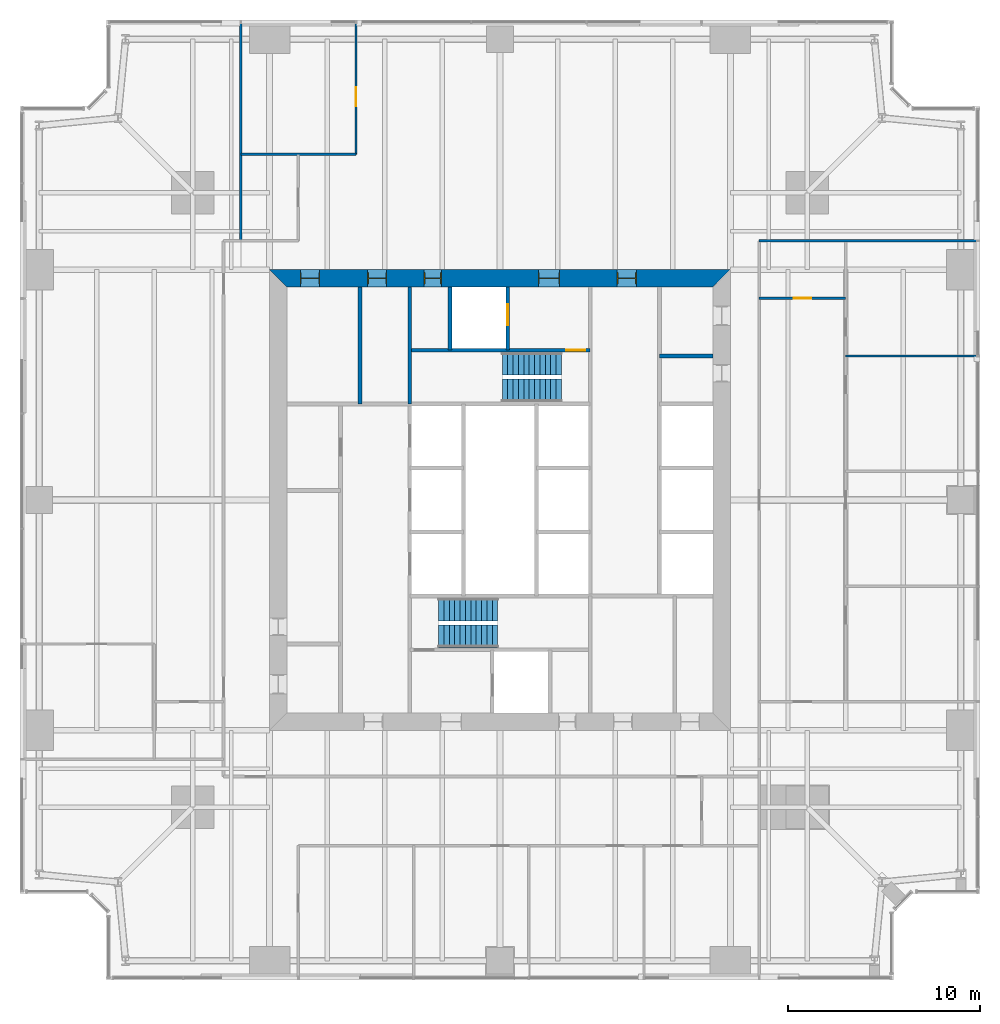
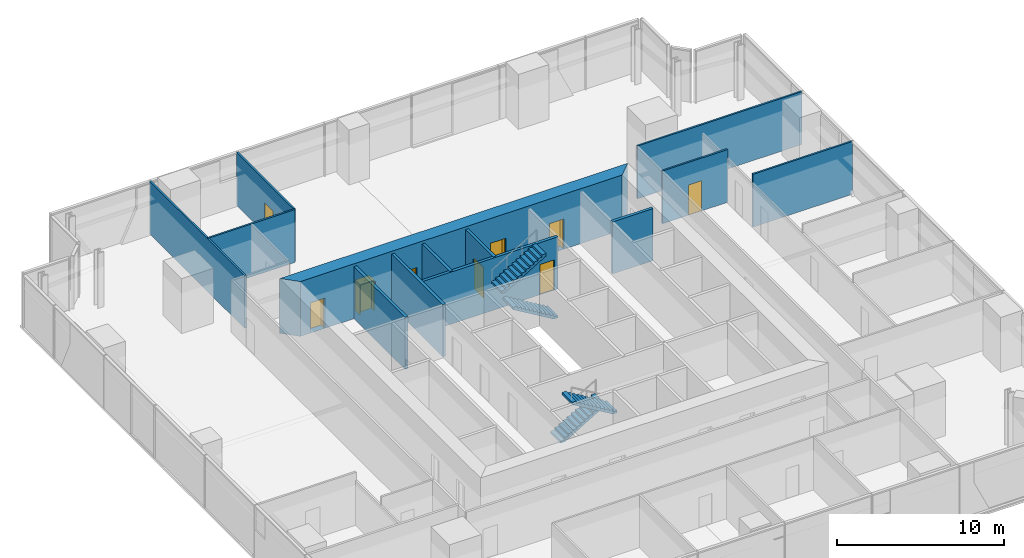
# One storey, part 11 of 13: 13 walls, 9 doors, 4 stair flights, 9 openings, 2 elements without a shape of their own.
"""IFC4 building model written with IfcOpenShell, lengths in metres."""

from ifc_helpers import new_model, si_unit, direction, frame, frame_2d, origin, place, context, subcontext, project, spatial, polyline, rectangle, outline, extrude, material, layer, layer_set, type_object, element, fill, aggregate, save


model = new_model("IFC4")

# Units and contexts
model_context = context("Model", 3, precision=1e-05, world=origin(), true_north=direction((0.0, 1.0)))
body_context = subcontext(model_context, "Body", "Model", "MODEL_VIEW")
ifc_project = project(units=[si_unit("LENGTHUNIT", "METRE"), si_unit("AREAUNIT", "SQUARE_METRE"), si_unit("VOLUMEUNIT", "CUBIC_METRE"), si_unit("PLANEANGLEUNIT", "RADIAN"), si_unit("MASSUNIT", "GRAM", prefix="KILO")], contexts=[model_context])

# Site, building, storey
site_placement = place(None, origin())
site = spatial("IfcSite", under=ifc_project, at=site_placement, CompositionType="ELEMENT")
building_placement = place(site_placement, origin())
building = spatial("IfcBuilding", under=site, at=building_placement, Name="Fenwick Lantern Interchange", CompositionType="ELEMENT")
storey_placement = place(building_placement, frame((0.0, 0.0, 126.39990234375)))
storey = spatial("IfcBuildingStorey", under=building, at=storey_placement, Name="L29", CompositionType="ELEMENT", Elevation=126.39990234375)

# Wall, opening, door
ifc_material_1 = material(Name="Concrete masonry ASTM C90 Grade N", Category="masonry")
ifc_layer_1 = layer(ifc_material_1, 0.199951171875)
ifc_layer_set_1 = layer_set([ifc_layer_1], Name="Concrete masonry ASTM C90 Grade N")
wall_type_1 = type_object("IfcWallType", Name="CORE PARTITION 200", PredefinedType="PARTITIONING", material=ifc_layer_set_1)
wall_1_placement = place(storey_placement, frame((25.39990234375, 36.10009765625, 0.0), z_axis=(0.0, 0.0, 1.0), x_axis=(0.0, -1.0, 0.0)))
wall_1 = element("IfcWall", 1, at=wall_1_placement, inside=storey, type_object=wall_type_1, Name="L29/W/COREN/h1", PredefinedType="PARTITIONING", context=body_context, shape_type="SweptSolid", body=[
    extrude(rectangle(XDim=3.300048828125, YDim=0.199951171875, at=frame_2d((1.64990234375, 0.0))), origin(), (0.0, 0.0, 1.0), 3.800048828125),
])
opening_1_placement = place(wall_1_placement, frame((0.89990234375, 0.0, 0.0)))
opening_1 = element("IfcOpeningElement", 2, at=opening_1_placement, cuts=wall_1, Name="Opening LD-FL2", PredefinedType="OPENING", context=body_context, shape_type="SweptSolid", body=[
    extrude(rectangle(XDim=1.10009765625, YDim=2.199951171875, at=frame_2d((0.550048828125, 1.10009765625))), frame((0.0, 0.10986328125, 0.0), z_axis=(0.0, -1.0, 0.0), x_axis=(1.0, 0.0, 0.0)), (0.0, 0.0, 1.0), 0.219970703125),
])
ifc_material_2 = material(Name="Steel door and frame", Category="steel")
door_type_1 = type_object("IfcDoorType", Name="LIFT LANDING DOOR 1100 X 2200", OperationType="DOUBLE_DOOR_SLIDING", PredefinedType="DOOR", material=ifc_material_2)
door_1_placement = place(opening_1_placement, origin())
door_1 = element("IfcDoor", 3, at=door_1_placement, inside=storey, type_object=door_type_1, Name="Lift landing door FL2", OperationType="DOUBLE_DOOR_SLIDING", OverallHeight=2.199951171875, OverallWidth=1.10009765625, PredefinedType="DOOR", context=body_context, shape_type="SweptSolid", body=[
    extrude(rectangle(XDim=1.10009765625, YDim=2.199951171875, at=frame_2d((0.550048828125, 1.10009765625))), frame((0.0, 0.02490234375, 0.0), z_axis=(0.0, -1.0, 0.0), x_axis=(1.0, 0.0, 0.0)), (0.0, 0.0, 1.0), 0.050048828125),
])
fill(opening_1, door_1)

# Walls
wall_2_placement = place(storey_placement, frame((22.39990234375, 36.10009765625, 0.0), z_axis=(0.0, 0.0, 1.0), x_axis=(0.0, -1.0, 0.0)))
element("IfcWall", 4, at=wall_2_placement, inside=storey, type_object=wall_type_1, Name="L29/W/COREN/h2", PredefinedType="PARTITIONING", context=body_context, shape_type="SweptSolid", body=[
    extrude(rectangle(XDim=3.300048828125, YDim=0.199951171875, at=frame_2d((1.64990234375, 0.0))), origin(), (0.0, 0.0, 1.0), 3.800048828125),
])
wall_3_placement = place(storey_placement, frame((17.699951171875, 36.10009765625, 0.0), z_axis=(0.0, 0.0, 1.0), x_axis=(0.0, -1.0, 0.0)))
element("IfcWall", 5, at=wall_3_placement, inside=storey, type_object=wall_type_1, Name="L29/W/COREN/i2", PredefinedType="PARTITIONING", context=body_context, shape_type="SweptSolid", body=[
    extrude(rectangle(XDim=6.10009765625, YDim=0.199951171875, at=frame_2d((3.050048828125, 0.0))), origin(), (0.0, 0.0, 1.0), 3.800048828125),
])
wall_4_placement = place(storey_placement, frame((36.10009765625, 32.5, 0.0), z_axis=(0.0, 0.0, 1.0), x_axis=(-1.0, 0.0, 0.0)))
element("IfcWall", 6, at=wall_4_placement, inside=storey, type_object=wall_type_1, Name="L29/W/COREN/p1", PredefinedType="PARTITIONING", context=body_context, shape_type="SweptSolid", body=[
    extrude(rectangle(XDim=2.800048828125, YDim=0.199951171875, at=frame_2d((1.39990234375, 0.0))), origin(), (0.0, 0.0, 1.0), 3.800048828125),
])

# Wall, openings, doors
ifc_material_3 = material(Name="Concrete f'c 70 MPa", Category="concrete")
ifc_layer_2 = layer(ifc_material_3, 0.89990234375)
ifc_layer_set_2 = layer_set([ifc_layer_2], Name="CORE WALL 900")
wall_type_2 = type_object("IfcWallType", Name="CORE WALL 900", PredefinedType="SHEAR", material=ifc_layer_set_2)
wall_5_placement = place(storey_placement, frame((37.0, 36.550048828125, 0.0), z_axis=(0.0, 0.0, 1.0), x_axis=(-1.0, 0.0, 0.0)))
wall_5 = element("IfcWall", 7, at=wall_5_placement, inside=storey, type_object=wall_type_2, Name="L29/CORE/N", PredefinedType="SHEAR", context=body_context, shape_type="SweptSolid", body=[
    extrude(outline(polyline([(0.0, -0.449951171875), (24.0, -0.449951171875), (23.10009765625, 0.449951171875), (0.89990234375, 0.449951171875), (0.0, -0.449951171875)])), origin(), (0.0, 0.0, 1.0), 4.0),
])
opening_2_placement = place(wall_5_placement, frame((4.89990234375, 0.0, 0.0)))
opening_2 = element("IfcOpeningElement", 8, at=opening_2_placement, cuts=wall_5, Name="Opening L29-D010", PredefinedType="OPENING", context=body_context, shape_type="SweptSolid", body=[
    extrude(rectangle(XDim=1.0, YDim=2.199951171875, at=frame_2d((0.5, 1.10009765625))), frame((0.0, 0.4599609375, 0.0), z_axis=(0.0, -1.0, 0.0), x_axis=(1.0, 0.0, 0.0)), (0.0, 0.0, 1.0), 0.919921875),
])
opening_3_placement = place(wall_5_placement, frame((8.89990234375, 0.0, 0.0)))
opening_3 = element("IfcOpeningElement", 9, at=opening_3_placement, cuts=wall_5, Name="Opening L29-D011", PredefinedType="OPENING", context=body_context, shape_type="SweptSolid", body=[
    extrude(rectangle(XDim=1.10009765625, YDim=2.199951171875, at=frame_2d((0.550048828125, 1.10009765625))), frame((0.0, 0.4599609375, 0.0), z_axis=(0.0, -1.0, 0.0), x_axis=(1.0, 0.0, 0.0)), (0.0, 0.0, 1.0), 0.919921875),
])
opening_4_placement = place(wall_5_placement, frame((15.050048828125, 0.0, 0.0)))
opening_4 = element("IfcOpeningElement", 10, at=opening_4_placement, cuts=wall_5, Name="Opening L29-D013", PredefinedType="OPENING", context=body_context, shape_type="SweptSolid", body=[
    extrude(rectangle(XDim=0.89990234375, YDim=2.199951171875, at=frame_2d((0.449951171875, 1.10009765625))), frame((0.0, 0.4599609375, 0.0), z_axis=(0.0, -1.0, 0.0), x_axis=(1.0, 0.0, 0.0)), (0.0, 0.0, 1.0), 0.919921875),
])
opening_5_placement = place(wall_5_placement, frame((17.89990234375, 0.0, 0.0)))
opening_5 = element("IfcOpeningElement", 11, at=opening_5_placement, cuts=wall_5, Name="Opening L29-D014", PredefinedType="OPENING", context=body_context, shape_type="SweptSolid", body=[
    extrude(rectangle(XDim=1.0, YDim=2.199951171875, at=frame_2d((0.5, 1.10009765625))), frame((0.0, 0.4599609375, 0.0), z_axis=(0.0, -1.0, 0.0), x_axis=(1.0, 0.0, 0.0)), (0.0, 0.0, 1.0), 0.919921875),
])
opening_6_placement = place(wall_5_placement, frame((21.39990234375, 0.0, 0.0)))
opening_6 = element("IfcOpeningElement", 12, at=opening_6_placement, cuts=wall_5, Name="Opening L29-D015", PredefinedType="OPENING", context=body_context, shape_type="SweptSolid", body=[
    extrude(rectangle(XDim=1.0, YDim=2.199951171875, at=frame_2d((0.5, 1.10009765625))), frame((0.0, 0.4599609375, 0.0), z_axis=(0.0, -1.0, 0.0), x_axis=(1.0, 0.0, 0.0)), (0.0, 0.0, 1.0), 0.919921875),
])
door_type_2 = type_object("IfcDoorType", Name="CORE LOBBY DOOR 1000 X 2200", OperationType="SINGLE_SWING_LEFT", PredefinedType="DOOR", material=ifc_material_2)
door_2_placement = place(opening_2_placement, origin())
door_2 = element("IfcDoor", 13, at=door_2_placement, inside=storey, type_object=door_type_2, Name="Core lobby door", OperationType="SINGLE_SWING_LEFT", OverallHeight=2.199951171875, OverallWidth=1.0, PredefinedType="DOOR", context=body_context, shape_type="SweptSolid", body=[
    extrude(rectangle(XDim=1.0, YDim=2.199951171875, at=frame_2d((0.5, 1.10009765625))), frame((0.0, 0.02490234375, 0.0), z_axis=(0.0, -1.0, 0.0), x_axis=(1.0, 0.0, 0.0)), (0.0, 0.0, 1.0), 0.050048828125),
    extrude(outline(polyline([(0.0, 0.0), (0.0400390625, 0.0), (0.0400390625, 2.159912109375), (0.9599609375, 2.159912109375), (0.9599609375, 0.0), (1.0, 0.0), (1.0, 2.199951171875), (0.0, 2.199951171875), (0.0, 0.0)])), frame((0.0, 0.300048828125, 0.0), z_axis=(0.0, -1.0, 0.0), x_axis=(1.0, 0.0, 0.0)), (0.0, 0.0, 1.0), 0.60009765625),
])
fill(opening_2, door_2)
door_type_3 = type_object("IfcDoorType", Name="FIRE LOBBY DOOR 1100 X 2200", OperationType="SINGLE_SWING_LEFT", PredefinedType="DOOR", material=ifc_material_2)
door_3_placement = place(opening_3_placement, origin())
door_3 = element("IfcDoor", 14, at=door_3_placement, inside=storey, type_object=door_type_3, Name="Fire lobby door", OperationType="SINGLE_SWING_LEFT", OverallHeight=2.199951171875, OverallWidth=1.10009765625, PredefinedType="DOOR", context=body_context, shape_type="SweptSolid", body=[
    extrude(rectangle(XDim=1.10009765625, YDim=2.199951171875, at=frame_2d((0.550048828125, 1.10009765625))), frame((0.0, 0.02490234375, 0.0), z_axis=(0.0, -1.0, 0.0), x_axis=(1.0, 0.0, 0.0)), (0.0, 0.0, 1.0), 0.050048828125),
    extrude(outline(polyline([(0.0, 0.0), (0.0400390625, 0.0), (0.0400390625, 2.159912109375), (1.06005859375, 2.159912109375), (1.06005859375, 0.0), (1.10009765625, 0.0), (1.10009765625, 2.199951171875), (0.0, 2.199951171875), (0.0, 0.0)])), frame((0.0, 0.300048828125, 0.0), z_axis=(0.0, -1.0, 0.0), x_axis=(1.0, 0.0, 0.0)), (0.0, 0.0, 1.0), 0.60009765625),
])
fill(opening_3, door_3)
door_type_4 = type_object("IfcDoorType", Name="SERVICE DOOR 900 X 2200", OperationType="SINGLE_SWING_LEFT", PredefinedType="DOOR", material=ifc_material_2)
door_4_placement = place(opening_4_placement, origin())
door_4 = element("IfcDoor", 15, at=door_4_placement, inside=storey, type_object=door_type_4, Name="Service door", OperationType="SINGLE_SWING_LEFT", OverallHeight=2.199951171875, OverallWidth=0.89990234375, PredefinedType="DOOR", context=body_context, shape_type="SweptSolid", body=[
    extrude(rectangle(XDim=0.89990234375, YDim=2.199951171875, at=frame_2d((0.449951171875, 1.10009765625))), frame((0.0, 0.02490234375, 0.0), z_axis=(0.0, -1.0, 0.0), x_axis=(1.0, 0.0, 0.0)), (0.0, 0.0, 1.0), 0.050048828125),
    extrude(outline(polyline([(0.0, 0.0), (0.0400390625, 0.0), (0.0400390625, 2.159912109375), (0.85986328125, 2.159912109375), (0.85986328125, 0.0), (0.89990234375, 0.0), (0.89990234375, 2.199951171875), (0.0, 2.199951171875), (0.0, 0.0)])), frame((0.0, 0.300048828125, 0.0), z_axis=(0.0, -1.0, 0.0), x_axis=(1.0, 0.0, 0.0)), (0.0, 0.0, 1.0), 0.60009765625),
])
fill(opening_4, door_4)
ifc_material_4 = material(Name="Hardwood door and steel frame", Category="steel")
door_type_5 = type_object("IfcDoorType", Name="WC DOOR 1000 X 2200", OperationType="SINGLE_SWING_LEFT", PredefinedType="DOOR", material=ifc_material_4)
door_5_placement = place(opening_5_placement, origin())
door_5 = element("IfcDoor", 16, at=door_5_placement, inside=storey, type_object=door_type_5, Name="Wc door", OperationType="SINGLE_SWING_RIGHT", OverallHeight=2.199951171875, OverallWidth=1.0, PredefinedType="DOOR", context=body_context, shape_type="SweptSolid", body=[
    extrude(rectangle(XDim=1.0, YDim=2.199951171875, at=frame_2d((0.5, 1.10009765625))), frame((0.0, 0.02490234375, 0.0), z_axis=(0.0, -1.0, 0.0), x_axis=(1.0, 0.0, 0.0)), (0.0, 0.0, 1.0), 0.050048828125),
    extrude(outline(polyline([(0.0, 0.0), (0.0400390625, 0.0), (0.0400390625, 2.159912109375), (0.9599609375, 2.159912109375), (0.9599609375, 0.0), (1.0, 0.0), (1.0, 2.199951171875), (0.0, 2.199951171875), (0.0, 0.0)])), frame((0.0, 0.300048828125, 0.0), z_axis=(0.0, -1.0, 0.0), x_axis=(1.0, 0.0, 0.0)), (0.0, 0.0, 1.0), 0.60009765625),
])
fill(opening_5, door_5)
door_6_placement = place(opening_6_placement, origin())
door_6 = element("IfcDoor", 17, at=door_6_placement, inside=storey, type_object=door_type_5, Name="Wc door", OperationType="SINGLE_SWING_RIGHT", OverallHeight=2.199951171875, OverallWidth=1.0, PredefinedType="DOOR", context=body_context, shape_type="SweptSolid", body=[
    extrude(rectangle(XDim=1.0, YDim=2.199951171875, at=frame_2d((0.5, 1.10009765625))), frame((0.0, 0.02490234375, 0.0), z_axis=(0.0, -1.0, 0.0), x_axis=(1.0, 0.0, 0.0)), (0.0, 0.0, 1.0), 0.050048828125),
    extrude(outline(polyline([(0.0, 0.0), (0.0400390625, 0.0), (0.0400390625, 2.159912109375), (0.9599609375, 2.159912109375), (0.9599609375, 0.0), (1.0, 0.0), (1.0, 2.199951171875), (0.0, 2.199951171875), (0.0, 0.0)])), frame((0.0, 0.300048828125, 0.0), z_axis=(0.0, -1.0, 0.0), x_axis=(1.0, 0.0, 0.0)), (0.0, 0.0, 1.0), 0.60009765625),
])
fill(opening_6, door_6)

# Wall
ifc_material_5 = material(Name="Gypsum board on steel studs, acoustic", Category="steel")
ifc_layer_3 = layer(ifc_material_5, 0.125)
ifc_layer_set_3 = layer_set([ifc_layer_3], Name="OFFICE PARTITION 125")
wall_type_3 = type_object("IfcWallType", Name="OFFICE PARTITION 125", PredefinedType="PARTITIONING", material=ifc_layer_set_3)
wall_6_placement = place(storey_placement, frame((49.85009765625, 32.5, 0.0), z_axis=(0.0, 0.0, 1.0), x_axis=(-1.0, 0.0, 0.0)))
element("IfcWall", 18, at=wall_6_placement, inside=storey, type_object=wall_type_3, Name="L29/W/OFF/E/X325-1", PredefinedType="PARTITIONING", context=body_context, shape_type="SweptSolid", body=[
    extrude(rectangle(XDim=6.85009765625, YDim=0.125, at=frame_2d((3.425048828125, 0.0))), origin(), (0.0, 0.0, 1.0), 3.85009765625),
])

# Wall, opening, door
wall_7_placement = place(storey_placement, frame((43.0, 35.5, 0.0), z_axis=(0.0, 0.0, 1.0), x_axis=(-1.0, 0.0, 0.0)))
wall_7 = element("IfcWall", 19, at=wall_7_placement, inside=storey, type_object=wall_type_3, Name="L29/W/OFF/E/X355-1", PredefinedType="PARTITIONING", context=body_context, shape_type="SweptSolid", body=[
    extrude(rectangle(XDim=4.5, YDim=0.125, at=frame_2d((2.25, 0.0))), origin(), (0.0, 0.0, 1.0), 3.85009765625),
])
opening_7_placement = place(wall_7_placement, frame((1.800048828125, 0.0, 0.0)))
opening_7 = element("IfcOpeningElement", 20, at=opening_7_placement, cuts=wall_7, Name="Opening L29-D031", PredefinedType="OPENING", context=body_context, shape_type="SweptSolid", body=[
    extrude(rectangle(XDim=0.89990234375, YDim=2.199951171875, at=frame_2d((0.449951171875, 1.10009765625))), frame((0.0, 0.072509765625, 0.0), z_axis=(0.0, -1.0, 0.0), x_axis=(1.0, 0.0, 0.0)), (0.0, 0.0, 1.0), 0.14501953125),
])
door_type_6 = type_object("IfcDoorType", Name="OFFICE DOOR 900 X 2200", OperationType="SINGLE_SWING_LEFT", PredefinedType="DOOR", material=ifc_material_4)
door_7_placement = place(opening_7_placement, frame((0.89990234375, 0.0, 0.0), z_axis=(0.0, 0.0, 1.0), x_axis=(-1.0, 0.0, 0.0)))
door_7 = element("IfcDoor", 21, at=door_7_placement, inside=storey, type_object=door_type_6, Name="Office door", OperationType="SINGLE_SWING_RIGHT", OverallHeight=2.199951171875, OverallWidth=0.89990234375, PredefinedType="DOOR", context=body_context, shape_type="SweptSolid", body=[
    extrude(rectangle(XDim=0.89990234375, YDim=2.199951171875, at=frame_2d((0.449951171875, 1.10009765625))), frame((0.0, 0.02490234375, 0.0), z_axis=(0.0, -1.0, 0.0), x_axis=(1.0, 0.0, 0.0)), (0.0, 0.0, 1.0), 0.050048828125),
])
fill(opening_7, door_7)

# Wall
wall_8_placement = place(storey_placement, frame((49.85009765625, 38.5, 0.0), z_axis=(0.0, 0.0, 1.0), x_axis=(-1.0, 0.0, 0.0)))
element("IfcWall", 22, at=wall_8_placement, inside=storey, type_object=wall_type_3, Name="L29/W/OFF/N/BACK", PredefinedType="PARTITIONING", context=body_context, shape_type="SweptSolid", body=[
    extrude(rectangle(XDim=11.35009765625, YDim=0.125, at=frame_2d((5.675048828125, 0.0))), origin(), (0.0, 0.0, 1.0), 3.85009765625),
])

# Wall, opening, door
wall_9_placement = place(storey_placement, frame((17.5, 49.85009765625, 0.0), z_axis=(0.0, 0.0, 1.0), x_axis=(0.0, -1.0, 0.0)))
wall_9 = element("IfcWall", 23, at=wall_9_placement, inside=storey, type_object=wall_type_3, Name="L29/W/OFF/N/X325-1", PredefinedType="PARTITIONING", context=body_context, shape_type="SweptSolid", body=[
    extrude(rectangle(XDim=6.85009765625, YDim=0.125, at=frame_2d((3.425048828125, 0.0))), origin(), (0.0, 0.0, 1.0), 3.85009765625),
])
opening_8_placement = place(wall_9_placement, frame((3.35009765625, 0.0, 0.0)))
opening_8 = element("IfcOpeningElement", 24, at=opening_8_placement, cuts=wall_9, Name="Opening L29-D032", PredefinedType="OPENING", context=body_context, shape_type="SweptSolid", body=[
    extrude(rectangle(XDim=1.0, YDim=2.199951171875, at=frame_2d((0.5, 1.10009765625))), frame((0.0, 0.072509765625, 0.0), z_axis=(0.0, -1.0, 0.0), x_axis=(1.0, 0.0, 0.0)), (0.0, 0.0, 1.0), 0.14501953125),
])
door_type_7 = type_object("IfcDoorType", Name="MEETING ROOM DOOR 1000 X 2200", OperationType="SINGLE_SWING_LEFT", PredefinedType="DOOR", material=ifc_material_4)
door_8_placement = place(opening_8_placement, frame((1.0, 0.0, 0.0), z_axis=(0.0, 0.0, 1.0), x_axis=(-1.0, 0.0, 0.0)))
door_8 = element("IfcDoor", 25, at=door_8_placement, inside=storey, type_object=door_type_7, Name="Meeting room door", OperationType="SINGLE_SWING_LEFT", OverallHeight=2.199951171875, OverallWidth=1.0, PredefinedType="DOOR", context=body_context, shape_type="SweptSolid", body=[
    extrude(rectangle(XDim=1.0, YDim=2.199951171875, at=frame_2d((0.5, 1.10009765625))), frame((0.0, 0.02490234375, 0.0), z_axis=(0.0, -1.0, 0.0), x_axis=(1.0, 0.0, 0.0)), (0.0, 0.0, 1.0), 0.050048828125),
])
fill(opening_8, door_8)

# Walls
wall_10_placement = place(storey_placement, frame((17.5, 43.0, 0.0), z_axis=(0.0, 0.0, 1.0), x_axis=(-1.0, 0.0, 0.0)))
element("IfcWall", 26, at=wall_10_placement, inside=storey, type_object=wall_type_3, Name="L29/W/OFF/N/Y70-1", PredefinedType="PARTITIONING", context=body_context, shape_type="SweptSolid", body=[
    extrude(rectangle(XDim=6.0, YDim=0.125, at=frame_2d((3.0, 0.0))), origin(), (0.0, 0.0, 1.0), 3.85009765625),
])
wall_11_placement = place(storey_placement, frame((11.5, 49.85009765625, 0.0), z_axis=(0.0, 0.0, 1.0), x_axis=(0.0, -1.0, 0.0)))
element("IfcWall", 27, at=wall_11_placement, inside=storey, type_object=wall_type_3, Name="L29/W/OFF/W/BACK", PredefinedType="PARTITIONING", context=body_context, shape_type="SweptSolid", body=[
    extrude(rectangle(XDim=11.35009765625, YDim=0.125, at=frame_2d((5.675048828125, 0.0))), origin(), (0.0, 0.0, 1.0), 3.85009765625),
])

# Wall, opening, door
ifc_material_6 = material(Name="Concrete f'c 45 MPa", Category="concrete")
ifc_layer_4 = layer(ifc_material_6, 0.199951171875)
ifc_layer_set_4 = layer_set([ifc_layer_4], Name="STAIR CORE WALL 200")
wall_type_4 = type_object("IfcWallType", Name="STAIR CORE WALL 200", PredefinedType="SOLIDWALL", material=ifc_layer_set_4)
wall_12_placement = place(storey_placement, frame((29.699951171875, 32.800048828125, 0.0), z_axis=(0.0, 0.0, 1.0), x_axis=(-1.0, 0.0, 0.0)))
wall_12 = element("IfcWall", 28, at=wall_12_placement, inside=storey, type_object=wall_type_4, Name="L29/W/COREN/g1", PredefinedType="SOLIDWALL", context=body_context, shape_type="SweptSolid", body=[
    extrude(rectangle(XDim=9.39990234375, YDim=0.199951171875, at=frame_2d((4.699951171875, 0.0))), origin(), (0.0, 0.0, 1.0), 3.800048828125),
])
opening_9_placement = place(wall_12_placement, frame((0.25, 0.0, 0.0)))
opening_9 = element("IfcOpeningElement", 29, at=opening_9_placement, cuts=wall_12, Name="Opening L29-D012", PredefinedType="OPENING", context=body_context, shape_type="SweptSolid", body=[
    extrude(rectangle(XDim=1.0, YDim=2.199951171875, at=frame_2d((0.5, 1.10009765625))), frame((0.0, 0.10986328125, 0.0), z_axis=(0.0, -1.0, 0.0), x_axis=(1.0, 0.0, 0.0)), (0.0, 0.0, 1.0), 0.219970703125),
])
door_type_8 = type_object("IfcDoorType", Name="STAIR DOOR 1000 X 2200", OperationType="SINGLE_SWING_LEFT", PredefinedType="DOOR", material=ifc_material_2)
door_9_placement = place(opening_9_placement, origin())
door_9 = element("IfcDoor", 30, at=door_9_placement, inside=storey, type_object=door_type_8, Name="Stair door", OperationType="SINGLE_SWING_LEFT", OverallHeight=2.199951171875, OverallWidth=1.0, PredefinedType="DOOR", context=body_context, shape_type="SweptSolid", body=[
    extrude(rectangle(XDim=1.0, YDim=2.199951171875, at=frame_2d((0.5, 1.10009765625))), frame((0.0, 0.02490234375, 0.0), z_axis=(0.0, -1.0, 0.0), x_axis=(1.0, 0.0, 0.0)), (0.0, 0.0, 1.0), 0.050048828125),
])
fill(opening_9, door_9)

# Wall
wall_13_placement = place(storey_placement, frame((20.300048828125, 36.10009765625, 0.0), z_axis=(0.0, 0.0, 1.0), x_axis=(0.0, -1.0, 0.0)))
element("IfcWall", 31, at=wall_13_placement, inside=storey, type_object=wall_type_4, Name="L29/W/COREN/i1", PredefinedType="SOLIDWALL", context=body_context, shape_type="SweptSolid", body=[
    extrude(rectangle(XDim=6.10009765625, YDim=0.199951171875, at=frame_2d((3.050048828125, 0.0))), origin(), (0.0, 0.0, 1.0), 3.800048828125),
])

# Stair, stair flights
ifc_material_7 = material(Name="Precast concrete f'c 35 MPa", Category="concrete")
stair_type = type_object("IfcStairType", Name="EXIT STAIR 1200", PredefinedType="HALF_TURN_STAIR", material=ifc_material_7)
stair_1_placement = place(storey_placement, origin())
stair_1 = element("IfcStair", 32, at=stair_1_placement, inside=storey, type_object=stair_type, Name="Exit stair ST1", PredefinedType="HALF_TURN_STAIR")
stair_flight_type = type_object("IfcStairFlightType", Name="STAIR FLIGHT 1200", PredefinedType="STRAIGHT", material=ifc_material_7)
stair_flight_1_placement = place(storey_placement, frame((21.800048828125, 19.300048828125, 0.0), z_axis=(0.0, 0.0, 1.0), x_axis=(1.0, 0.0, 0.0)))
stair_flight_1 = element("IfcStairFlight", 33, at=stair_flight_1_placement, type_object=stair_flight_type, Name="ST1 flight 1", NumberOfRisers=12, NumberOfTreads=11, PredefinedType="STRAIGHT", RiserHeight=0.166666667, TreadLength=0.28, context=body_context, shape_type="SweptSolid", body=[
    extrude(outline(polyline([(0.0, 0.0), (0.0, 0.166748046875), (0.280029296875, 0.166748046875), (0.280029296875, 0.333251953125), (0.56005859375, 0.333251953125), (0.56005859375, 0.5), (0.840087890625, 0.5), (0.840087890625, 0.666748046875), (1.1201171875, 0.666748046875), (1.1201171875, 0.833251953125), (1.39990234375, 0.833251953125), (1.39990234375, 1.0), (1.679931640625, 1.0), (1.679931640625, 1.166748046875), (1.9599609375, 1.166748046875), (1.9599609375, 1.333251953125), (2.239990234375, 1.333251953125), (2.239990234375, 1.5), (2.52001953125, 1.5), (2.52001953125, 1.666748046875), (2.800048828125, 1.666748046875), (2.800048828125, 1.833251953125), (3.080078125, 1.833251953125), (3.080078125, 2.0), (3.080078125, 1.658935546875), (0.29296875, 0.0), (0.0, 0.0)])), frame((0.0, 0.60009765625, 0.0), z_axis=(0.0, -1.0, 0.0), x_axis=(1.0, 0.0, 0.0)), (0.0, 0.0, 1.0), 1.199951171875),
])
stair_flight_2_placement = place(storey_placement, frame((24.8798828125, 17.89990234375, 2.0), z_axis=(0.0, 0.0, 1.0), x_axis=(-1.0, 0.0, 0.0)))
stair_flight_2 = element("IfcStairFlight", 34, at=stair_flight_2_placement, type_object=stair_flight_type, Name="ST1 flight 2", NumberOfRisers=12, NumberOfTreads=11, PredefinedType="STRAIGHT", RiserHeight=0.166666667, TreadLength=0.28, context=body_context, shape_type="SweptSolid", body=[
    extrude(outline(polyline([(0.0, 0.0), (0.0, 0.166748046875), (0.280029296875, 0.166748046875), (0.280029296875, 0.333251953125), (0.56005859375, 0.333251953125), (0.56005859375, 0.5), (0.840087890625, 0.5), (0.840087890625, 0.666748046875), (1.1201171875, 0.666748046875), (1.1201171875, 0.833251953125), (1.39990234375, 0.833251953125), (1.39990234375, 1.0), (1.679931640625, 1.0), (1.679931640625, 1.166748046875), (1.9599609375, 1.166748046875), (1.9599609375, 1.333251953125), (2.239990234375, 1.333251953125), (2.239990234375, 1.5), (2.52001953125, 1.5), (2.52001953125, 1.666748046875), (2.800048828125, 1.666748046875), (2.800048828125, 1.833251953125), (3.080078125, 1.833251953125), (3.080078125, 2.0), (3.080078125, 1.658935546875), (0.29296875, 0.0), (0.0, 0.0)])), frame((0.0, 0.60009765625, 0.0), z_axis=(0.0, -1.0, 0.0), x_axis=(1.0, 0.0, 0.0)), (0.0, 0.0, 1.0), 1.199951171875),
])
aggregate(stair_1, [stair_flight_1, stair_flight_2])

stair_2_placement = place(storey_placement, origin())
stair_2 = element("IfcStair", 35, at=stair_2_placement, inside=storey, type_object=stair_type, Name="Exit stair ST2", PredefinedType="HALF_TURN_STAIR")
stair_flight_3_placement = place(storey_placement, frame((28.199951171875, 30.699951171875, 0.0), z_axis=(0.0, 0.0, 1.0), x_axis=(-1.0, 0.0, 0.0)))
stair_flight_3 = element("IfcStairFlight", 36, at=stair_flight_3_placement, type_object=stair_flight_type, Name="ST2 flight 1", NumberOfRisers=12, NumberOfTreads=11, PredefinedType="STRAIGHT", RiserHeight=0.166666667, TreadLength=0.28, context=body_context, shape_type="SweptSolid", body=[
    extrude(outline(polyline([(0.0, 0.0), (0.0, 0.166748046875), (0.280029296875, 0.166748046875), (0.280029296875, 0.333251953125), (0.56005859375, 0.333251953125), (0.56005859375, 0.5), (0.840087890625, 0.5), (0.840087890625, 0.666748046875), (1.1201171875, 0.666748046875), (1.1201171875, 0.833251953125), (1.39990234375, 0.833251953125), (1.39990234375, 1.0), (1.679931640625, 1.0), (1.679931640625, 1.166748046875), (1.9599609375, 1.166748046875), (1.9599609375, 1.333251953125), (2.239990234375, 1.333251953125), (2.239990234375, 1.5), (2.52001953125, 1.5), (2.52001953125, 1.666748046875), (2.800048828125, 1.666748046875), (2.800048828125, 1.833251953125), (3.080078125, 1.833251953125), (3.080078125, 2.0), (3.080078125, 1.658935546875), (0.29296875, 0.0), (0.0, 0.0)])), frame((0.0, 0.60009765625, 0.0), z_axis=(0.0, -1.0, 0.0), x_axis=(1.0, 0.0, 0.0)), (0.0, 0.0, 1.0), 1.199951171875),
])
stair_flight_4_placement = place(storey_placement, frame((25.1201171875, 32.10009765625, 2.0), z_axis=(0.0, 0.0, 1.0), x_axis=(1.0, 0.0, 0.0)))
stair_flight_4 = element("IfcStairFlight", 37, at=stair_flight_4_placement, type_object=stair_flight_type, Name="ST2 flight 2", NumberOfRisers=12, NumberOfTreads=11, PredefinedType="STRAIGHT", RiserHeight=0.166666667, TreadLength=0.28, context=body_context, shape_type="SweptSolid", body=[
    extrude(outline(polyline([(0.0, 0.0), (0.0, 0.166748046875), (0.280029296875, 0.166748046875), (0.280029296875, 0.333251953125), (0.56005859375, 0.333251953125), (0.56005859375, 0.5), (0.840087890625, 0.5), (0.840087890625, 0.666748046875), (1.1201171875, 0.666748046875), (1.1201171875, 0.833251953125), (1.39990234375, 0.833251953125), (1.39990234375, 1.0), (1.679931640625, 1.0), (1.679931640625, 1.166748046875), (1.9599609375, 1.166748046875), (1.9599609375, 1.333251953125), (2.239990234375, 1.333251953125), (2.239990234375, 1.5), (2.52001953125, 1.5), (2.52001953125, 1.666748046875), (2.800048828125, 1.666748046875), (2.800048828125, 1.833251953125), (3.080078125, 1.833251953125), (3.080078125, 2.0), (3.080078125, 1.658935546875), (0.29296875, 0.0), (0.0, 0.0)])), frame((0.0, 0.60009765625, 0.0), z_axis=(0.0, -1.0, 0.0), x_axis=(1.0, 0.0, 0.0)), (0.0, 0.0, 1.0), 1.199951171875),
])
aggregate(stair_2, [stair_flight_3, stair_flight_4])

save(model, "model.ifc")
